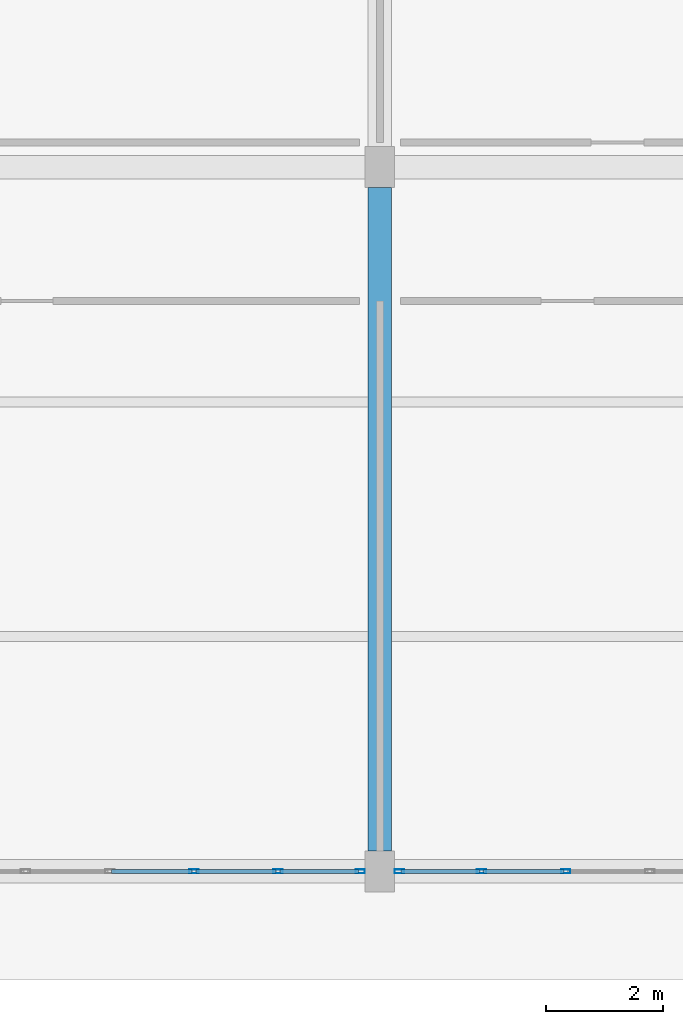
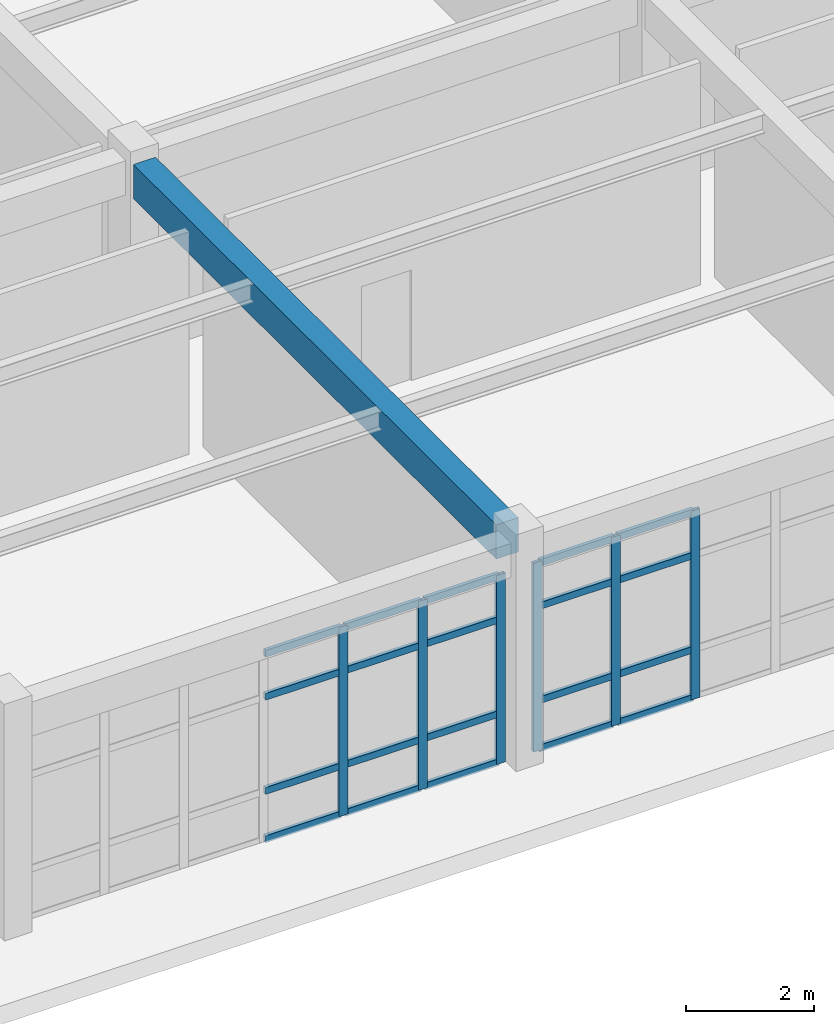
# One storey, part 33 of 154: 26 members, 1 beam, 2 elements without a shape of their own.
"""IFC4 building model written with IfcOpenShell, lengths in metres."""

from ifc_helpers import new_model, si_unit, direction, frame, origin, origin_2d, place, context, subcontext, project, spatial, rectangle, hollow_rectangle, extrude, material, material_profile, profile_set, type_object, element, aggregate, save


model = new_model("IFC4")

# Units and contexts
model_context = context("Model", 3, precision=1e-05, world=origin(), true_north=direction((0.0, 1.0)))
body_context = subcontext(model_context, "Body", "Model", "MODEL_VIEW")
ifc_project = project(units=[si_unit("LENGTHUNIT", "METRE"), si_unit("AREAUNIT", "SQUARE_METRE"), si_unit("VOLUMEUNIT", "CUBIC_METRE"), si_unit("PLANEANGLEUNIT", "RADIAN"), si_unit("MASSUNIT", "GRAM", prefix="KILO")], contexts=[model_context])

# Site, building, storey
site_placement = place(None, origin())
site = spatial("IfcSite", under=ifc_project, at=site_placement, CompositionType="ELEMENT")
building_placement = place(site_placement, origin())
building = spatial("IfcBuilding", under=site, at=building_placement, Name="Kestramere Prow Commons", CompositionType="ELEMENT")
storey_placement = place(building_placement, origin())
storey = spatial("IfcBuildingStorey", under=building, at=storey_placement, Name="L00", CompositionType="ELEMENT", Elevation=0.0)

# Beam
ifc_material_1 = material(Name="Precast concrete C40/50", Category="concrete")
ifc_material_profile_1 = material_profile(ifc_material_1, rectangle(XDim=0.39990234375, YDim=0.64990234375, at=origin_2d()), Name="PC-BM 400x650")
ifc_profile_set_1 = profile_set([ifc_material_profile_1], Name="Precast concrete C40/50")
beam_type = type_object("IfcBeamType", Name="BM-MK-01 PC-BM 400x650", PredefinedType="BEAM", material=ifc_profile_set_1)
beam_placement = place(storey_placement, frame((85.0, 0.35009765625, 3.925048828125), z_axis=(0.0, 1.0, 0.0), x_axis=(-1.0, 0.0, 0.0)))
element("IfcBeam", 1, at=beam_placement, inside=storey, type_object=beam_type, Name="Market Spine L00 Beam Y 4-1", PredefinedType="BEAM", context=body_context, shape_type="SweptSolid", body=[
    extrude(rectangle(XDim=0.39990234375, YDim=0.64990234375, at=origin_2d()), origin(), (0.0, 0.0, 1.0), 11.2998046875),
])

# Curtain wall, members
ifc_material_2 = material(Name="Anodised Aluminium and Low-E Glass", Category="aluminium")
curtain_wall_type = type_object("IfcCurtainWallType", Name="CW-21 Glazed Curtain Wall 8600x3590", PredefinedType="USERDEFINED", material=ifc_material_2)
curtain_wall_1_placement = place(storey_placement, origin())
curtain_wall_1 = element("IfcCurtainWall", 2, at=curtain_wall_1_placement, inside=storey, type_object=curtain_wall_type, Name="Market L00 South Shopfront 3", ObjectType="GLAZED CURTAIN WALL", PredefinedType="USERDEFINED")
ifc_material_3 = material(Name="Anodised Aluminium 6063-T6", Category="aluminium")
ifc_material_profile_2 = material_profile(ifc_material_3, hollow_rectangle(XDim=0.06494140625, YDim=0.159912109375, WallThickness=0.00390625, at=origin_2d()), Name="ALU-MUL 65x160")
ifc_profile_set_2 = profile_set([ifc_material_profile_2], Name="Anodised Aluminium 6063-T6")
member_type_1 = type_object("IfcMemberType", Name="CW-MUL-65x160", PredefinedType="MULLION", material=ifc_profile_set_2)
member_1_placement = place(storey_placement, frame((84.66748046875, 0.0, 0.0), z_axis=(0.0, 0.0, 1.0), x_axis=(0.0, -1.0, 0.0)))
member_1 = element("IfcMember", 3, at=member_1_placement, type_object=member_type_1, Name="CW-21 mullion 1", PredefinedType="MULLION", context=body_context, shape_type="SweptSolid", body=[
    extrude(hollow_rectangle(XDim=0.06494140625, YDim=0.159912109375, WallThickness=0.00390625, at=origin_2d()), origin(), (0.0, 0.0, 1.0), 3.590087890625),
])
member_2_placement = place(storey_placement, frame((83.2666015625, 0.0, 0.0), z_axis=(0.0, 0.0, 1.0), x_axis=(0.0, -1.0, 0.0)))
member_2 = element("IfcMember", 4, at=member_2_placement, type_object=member_type_1, Name="CW-21 mullion 2", PredefinedType="MULLION", context=body_context, shape_type="SweptSolid", body=[
    extrude(hollow_rectangle(XDim=0.06494140625, YDim=0.159912109375, WallThickness=0.00390625, at=origin_2d()), origin(), (0.0, 0.0, 1.0), 3.590087890625),
])
member_3_placement = place(storey_placement, frame((81.833251953125, 0.0, 0.0), z_axis=(0.0, 0.0, 1.0), x_axis=(0.0, -1.0, 0.0)))
member_3 = element("IfcMember", 5, at=member_3_placement, type_object=member_type_1, Name="CW-21 mullion 3", PredefinedType="MULLION", context=body_context, shape_type="SweptSolid", body=[
    extrude(hollow_rectangle(XDim=0.06494140625, YDim=0.159912109375, WallThickness=0.00390625, at=origin_2d()), origin(), (0.0, 0.0, 1.0), 3.590087890625),
])

curtain_wall_2_placement = place(storey_placement, origin())
curtain_wall_2 = element("IfcCurtainWall", 6, at=curtain_wall_2_placement, inside=storey, type_object=curtain_wall_type, Name="Market L00 South Shopfront 4", ObjectType="GLAZED CURTAIN WALL", PredefinedType="USERDEFINED")
member_4_placement = place(storey_placement, frame((88.166748046875, 0.0, 0.0), z_axis=(0.0, 0.0, 1.0), x_axis=(0.0, -1.0, 0.0)))
member_4 = element("IfcMember", 7, at=member_4_placement, type_object=member_type_1, Name="CW-21 mullion 5", PredefinedType="MULLION", context=body_context, shape_type="SweptSolid", body=[
    extrude(hollow_rectangle(XDim=0.06494140625, YDim=0.159912109375, WallThickness=0.00390625, at=origin_2d()), origin(), (0.0, 0.0, 1.0), 3.590087890625),
])
member_5_placement = place(storey_placement, frame((86.7333984375, 0.0, 0.0), z_axis=(0.0, 0.0, 1.0), x_axis=(0.0, -1.0, 0.0)))
member_5 = element("IfcMember", 8, at=member_5_placement, type_object=member_type_1, Name="CW-21 mullion 6", PredefinedType="MULLION", context=body_context, shape_type="SweptSolid", body=[
    extrude(hollow_rectangle(XDim=0.06494140625, YDim=0.159912109375, WallThickness=0.00390625, at=origin_2d()), origin(), (0.0, 0.0, 1.0), 3.590087890625),
])
member_6_placement = place(storey_placement, frame((85.33251953125, 0.0, 0.0), z_axis=(0.0, 0.0, 1.0), x_axis=(0.0, -1.0, 0.0)))
member_6 = element("IfcMember", 9, at=member_6_placement, type_object=member_type_1, Name="CW-21 mullion 7", PredefinedType="MULLION", context=body_context, shape_type="SweptSolid", body=[
    extrude(hollow_rectangle(XDim=0.06494140625, YDim=0.159912109375, WallThickness=0.00390625, at=origin_2d()), origin(), (0.0, 0.0, 1.0), 3.590087890625),
])

# Member
ifc_material_profile_3 = material_profile(ifc_material_3, hollow_rectangle(XDim=0.06494140625, YDim=0.1298828125, WallThickness=0.00390625, at=origin_2d()), Name="ALU-TRN 65x130")
ifc_profile_set_3 = profile_set([ifc_material_profile_3], Name="Anodised Aluminium 6063-T6")
member_type_2 = type_object("IfcMemberType", Name="CW-TRN-65x130", PredefinedType="USERDEFINED", material=ifc_profile_set_3)
member_7_placement = place(storey_placement, frame((84.635009765625, 0.0, 0.032470703125), z_axis=(-1.0, 0.0, 0.0), x_axis=(0.0, -1.0, 0.0)))
member_7 = element("IfcMember", 10, at=member_7_placement, type_object=member_type_2, Name="CW-21 transom 1.1", ObjectType="TRANSOM", PredefinedType="USERDEFINED", context=body_context, shape_type="SweptSolid", body=[
    extrude(hollow_rectangle(XDim=0.06494140625, YDim=0.1298828125, WallThickness=0.00390625, at=origin_2d()), origin(), (0.0, 0.0, 1.0), 1.3359375),
])

member_8_placement = place(storey_placement, frame((84.635009765625, 0.0, 0.949951171875), z_axis=(-1.0, 0.0, 0.0), x_axis=(0.0, -1.0, 0.0)))
member_8 = element("IfcMember", 11, at=member_8_placement, type_object=member_type_2, Name="CW-21 transom 1.2", ObjectType="TRANSOM", PredefinedType="USERDEFINED", context=body_context, shape_type="SweptSolid", body=[
    extrude(hollow_rectangle(XDim=0.06494140625, YDim=0.1298828125, WallThickness=0.00390625, at=origin_2d()), origin(), (0.0, 0.0, 1.0), 1.3359375),
])

member_9_placement = place(storey_placement, frame((84.635009765625, 0.0, 2.739990234375), z_axis=(-1.0, 0.0, 0.0), x_axis=(0.0, -1.0, 0.0)))
member_9 = element("IfcMember", 12, at=member_9_placement, type_object=member_type_2, Name="CW-21 transom 1.3", ObjectType="TRANSOM", PredefinedType="USERDEFINED", context=body_context, shape_type="SweptSolid", body=[
    extrude(hollow_rectangle(XDim=0.06494140625, YDim=0.1298828125, WallThickness=0.00390625, at=origin_2d()), origin(), (0.0, 0.0, 1.0), 1.3359375),
])

member_10_placement = place(storey_placement, frame((84.635009765625, 0.0, 3.5576171875), z_axis=(-1.0, 0.0, 0.0), x_axis=(0.0, -1.0, 0.0)))
member_10 = element("IfcMember", 13, at=member_10_placement, type_object=member_type_2, Name="CW-21 transom 1.4", ObjectType="TRANSOM", PredefinedType="USERDEFINED", context=body_context, shape_type="SweptSolid", body=[
    extrude(hollow_rectangle(XDim=0.06494140625, YDim=0.1298828125, WallThickness=0.00390625, at=origin_2d()), origin(), (0.0, 0.0, 1.0), 1.3359375),
])

member_11_placement = place(storey_placement, frame((83.234130859375, 0.0, 0.032470703125), z_axis=(-1.0, 0.0, 0.0), x_axis=(0.0, -1.0, 0.0)))
member_11 = element("IfcMember", 14, at=member_11_placement, type_object=member_type_2, Name="CW-21 transom 2.1", ObjectType="TRANSOM", PredefinedType="USERDEFINED", context=body_context, shape_type="SweptSolid", body=[
    extrude(hollow_rectangle(XDim=0.06494140625, YDim=0.1298828125, WallThickness=0.00390625, at=origin_2d()), origin(), (0.0, 0.0, 1.0), 1.368408203125),
])

member_12_placement = place(storey_placement, frame((83.234130859375, 0.0, 0.949951171875), z_axis=(-1.0, 0.0, 0.0), x_axis=(0.0, -1.0, 0.0)))
member_12 = element("IfcMember", 15, at=member_12_placement, type_object=member_type_2, Name="CW-21 transom 2.2", ObjectType="TRANSOM", PredefinedType="USERDEFINED", context=body_context, shape_type="SweptSolid", body=[
    extrude(hollow_rectangle(XDim=0.06494140625, YDim=0.1298828125, WallThickness=0.00390625, at=origin_2d()), origin(), (0.0, 0.0, 1.0), 1.368408203125),
])

member_13_placement = place(storey_placement, frame((83.234130859375, 0.0, 2.739990234375), z_axis=(-1.0, 0.0, 0.0), x_axis=(0.0, -1.0, 0.0)))
member_13 = element("IfcMember", 16, at=member_13_placement, type_object=member_type_2, Name="CW-21 transom 2.3", ObjectType="TRANSOM", PredefinedType="USERDEFINED", context=body_context, shape_type="SweptSolid", body=[
    extrude(hollow_rectangle(XDim=0.06494140625, YDim=0.1298828125, WallThickness=0.00390625, at=origin_2d()), origin(), (0.0, 0.0, 1.0), 1.368408203125),
])

member_14_placement = place(storey_placement, frame((83.234130859375, 0.0, 3.5576171875), z_axis=(-1.0, 0.0, 0.0), x_axis=(0.0, -1.0, 0.0)))
member_14 = element("IfcMember", 17, at=member_14_placement, type_object=member_type_2, Name="CW-21 transom 2.4", ObjectType="TRANSOM", PredefinedType="USERDEFINED", context=body_context, shape_type="SweptSolid", body=[
    extrude(hollow_rectangle(XDim=0.06494140625, YDim=0.1298828125, WallThickness=0.00390625, at=origin_2d()), origin(), (0.0, 0.0, 1.0), 1.368408203125),
])

member_15_placement = place(storey_placement, frame((81.80078125, 0.0, 0.032470703125), z_axis=(-1.0, 0.0, 0.0), x_axis=(0.0, -1.0, 0.0)))
member_15 = element("IfcMember", 18, at=member_15_placement, type_object=member_type_2, Name="CW-21 transom 3.1", ObjectType="TRANSOM", PredefinedType="USERDEFINED", context=body_context, shape_type="SweptSolid", body=[
    extrude(hollow_rectangle(XDim=0.06494140625, YDim=0.1298828125, WallThickness=0.00390625, at=origin_2d()), origin(), (0.0, 0.0, 1.0), 1.3681640625),
])

member_16_placement = place(storey_placement, frame((81.80078125, 0.0, 0.949951171875), z_axis=(-1.0, 0.0, 0.0), x_axis=(0.0, -1.0, 0.0)))
member_16 = element("IfcMember", 19, at=member_16_placement, type_object=member_type_2, Name="CW-21 transom 3.2", ObjectType="TRANSOM", PredefinedType="USERDEFINED", context=body_context, shape_type="SweptSolid", body=[
    extrude(hollow_rectangle(XDim=0.06494140625, YDim=0.1298828125, WallThickness=0.00390625, at=origin_2d()), origin(), (0.0, 0.0, 1.0), 1.3681640625),
])

member_17_placement = place(storey_placement, frame((81.80078125, 0.0, 2.739990234375), z_axis=(-1.0, 0.0, 0.0), x_axis=(0.0, -1.0, 0.0)))
member_17 = element("IfcMember", 20, at=member_17_placement, type_object=member_type_2, Name="CW-21 transom 3.3", ObjectType="TRANSOM", PredefinedType="USERDEFINED", context=body_context, shape_type="SweptSolid", body=[
    extrude(hollow_rectangle(XDim=0.06494140625, YDim=0.1298828125, WallThickness=0.00390625, at=origin_2d()), origin(), (0.0, 0.0, 1.0), 1.3681640625),
])

member_18_placement = place(storey_placement, frame((81.80078125, 0.0, 3.5576171875), z_axis=(-1.0, 0.0, 0.0), x_axis=(0.0, -1.0, 0.0)))
member_18 = element("IfcMember", 21, at=member_18_placement, type_object=member_type_2, Name="CW-21 transom 3.4", ObjectType="TRANSOM", PredefinedType="USERDEFINED", context=body_context, shape_type="SweptSolid", body=[
    extrude(hollow_rectangle(XDim=0.06494140625, YDim=0.1298828125, WallThickness=0.00390625, at=origin_2d()), origin(), (0.0, 0.0, 1.0), 1.3681640625),
])

aggregate(curtain_wall_1, [member_1, member_2, member_3, member_7, member_8, member_9, member_10, member_11, member_12, member_13, member_14, member_15, member_16, member_17, member_18])

member_19_placement = place(storey_placement, frame((88.13427734375, 0.0, 0.032470703125), z_axis=(-1.0, 0.0, 0.0), x_axis=(0.0, -1.0, 0.0)))
member_19 = element("IfcMember", 22, at=member_19_placement, type_object=member_type_2, Name="CW-21 transom 5.1", ObjectType="TRANSOM", PredefinedType="USERDEFINED", context=body_context, shape_type="SweptSolid", body=[
    extrude(hollow_rectangle(XDim=0.06494140625, YDim=0.1298828125, WallThickness=0.00390625, at=origin_2d()), origin(), (0.0, 0.0, 1.0), 1.368408203125),
])

member_20_placement = place(storey_placement, frame((88.13427734375, 0.0, 0.949951171875), z_axis=(-1.0, 0.0, 0.0), x_axis=(0.0, -1.0, 0.0)))
member_20 = element("IfcMember", 23, at=member_20_placement, type_object=member_type_2, Name="CW-21 transom 5.2", ObjectType="TRANSOM", PredefinedType="USERDEFINED", context=body_context, shape_type="SweptSolid", body=[
    extrude(hollow_rectangle(XDim=0.06494140625, YDim=0.1298828125, WallThickness=0.00390625, at=origin_2d()), origin(), (0.0, 0.0, 1.0), 1.368408203125),
])

member_21_placement = place(storey_placement, frame((88.13427734375, 0.0, 2.739990234375), z_axis=(-1.0, 0.0, 0.0), x_axis=(0.0, -1.0, 0.0)))
member_21 = element("IfcMember", 24, at=member_21_placement, type_object=member_type_2, Name="CW-21 transom 5.3", ObjectType="TRANSOM", PredefinedType="USERDEFINED", context=body_context, shape_type="SweptSolid", body=[
    extrude(hollow_rectangle(XDim=0.06494140625, YDim=0.1298828125, WallThickness=0.00390625, at=origin_2d()), origin(), (0.0, 0.0, 1.0), 1.368408203125),
])

member_22_placement = place(storey_placement, frame((88.13427734375, 0.0, 3.5576171875), z_axis=(-1.0, 0.0, 0.0), x_axis=(0.0, -1.0, 0.0)))
member_22 = element("IfcMember", 25, at=member_22_placement, type_object=member_type_2, Name="CW-21 transom 5.4", ObjectType="TRANSOM", PredefinedType="USERDEFINED", context=body_context, shape_type="SweptSolid", body=[
    extrude(hollow_rectangle(XDim=0.06494140625, YDim=0.1298828125, WallThickness=0.00390625, at=origin_2d()), origin(), (0.0, 0.0, 1.0), 1.368408203125),
])

member_23_placement = place(storey_placement, frame((86.700927734375, 0.0, 0.032470703125), z_axis=(-1.0, 0.0, 0.0), x_axis=(0.0, -1.0, 0.0)))
member_23 = element("IfcMember", 26, at=member_23_placement, type_object=member_type_2, Name="CW-21 transom 6.1", ObjectType="TRANSOM", PredefinedType="USERDEFINED", context=body_context, shape_type="SweptSolid", body=[
    extrude(hollow_rectangle(XDim=0.06494140625, YDim=0.1298828125, WallThickness=0.00390625, at=origin_2d()), origin(), (0.0, 0.0, 1.0), 1.3359375),
])

member_24_placement = place(storey_placement, frame((86.700927734375, 0.0, 0.949951171875), z_axis=(-1.0, 0.0, 0.0), x_axis=(0.0, -1.0, 0.0)))
member_24 = element("IfcMember", 27, at=member_24_placement, type_object=member_type_2, Name="CW-21 transom 6.2", ObjectType="TRANSOM", PredefinedType="USERDEFINED", context=body_context, shape_type="SweptSolid", body=[
    extrude(hollow_rectangle(XDim=0.06494140625, YDim=0.1298828125, WallThickness=0.00390625, at=origin_2d()), origin(), (0.0, 0.0, 1.0), 1.3359375),
])

member_25_placement = place(storey_placement, frame((86.700927734375, 0.0, 2.739990234375), z_axis=(-1.0, 0.0, 0.0), x_axis=(0.0, -1.0, 0.0)))
member_25 = element("IfcMember", 28, at=member_25_placement, type_object=member_type_2, Name="CW-21 transom 6.3", ObjectType="TRANSOM", PredefinedType="USERDEFINED", context=body_context, shape_type="SweptSolid", body=[
    extrude(hollow_rectangle(XDim=0.06494140625, YDim=0.1298828125, WallThickness=0.00390625, at=origin_2d()), origin(), (0.0, 0.0, 1.0), 1.3359375),
])

member_26_placement = place(storey_placement, frame((86.700927734375, 0.0, 3.5576171875), z_axis=(-1.0, 0.0, 0.0), x_axis=(0.0, -1.0, 0.0)))
member_26 = element("IfcMember", 29, at=member_26_placement, type_object=member_type_2, Name="CW-21 transom 6.4", ObjectType="TRANSOM", PredefinedType="USERDEFINED", context=body_context, shape_type="SweptSolid", body=[
    extrude(hollow_rectangle(XDim=0.06494140625, YDim=0.1298828125, WallThickness=0.00390625, at=origin_2d()), origin(), (0.0, 0.0, 1.0), 1.3359375),
])

aggregate(curtain_wall_2, [member_4, member_5, member_6, member_19, member_20, member_21, member_22, member_23, member_24, member_25, member_26])

save(model, "model.ifc")
